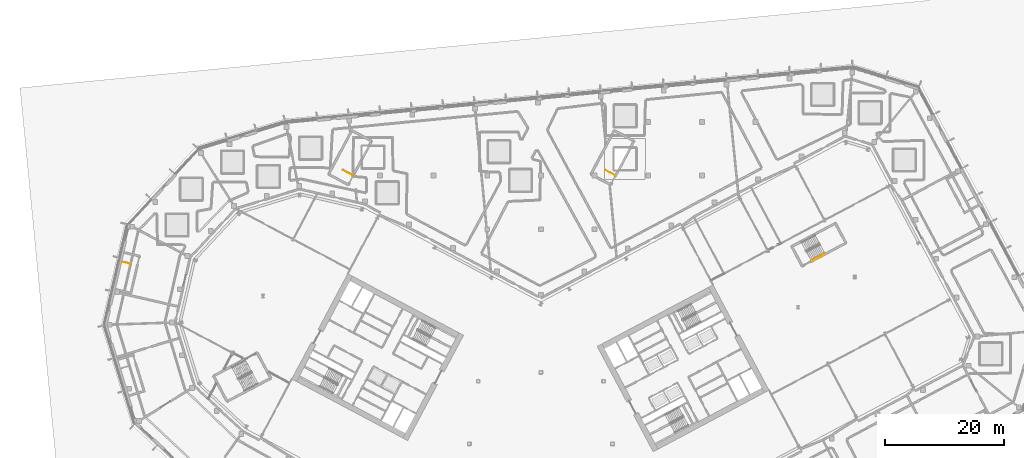
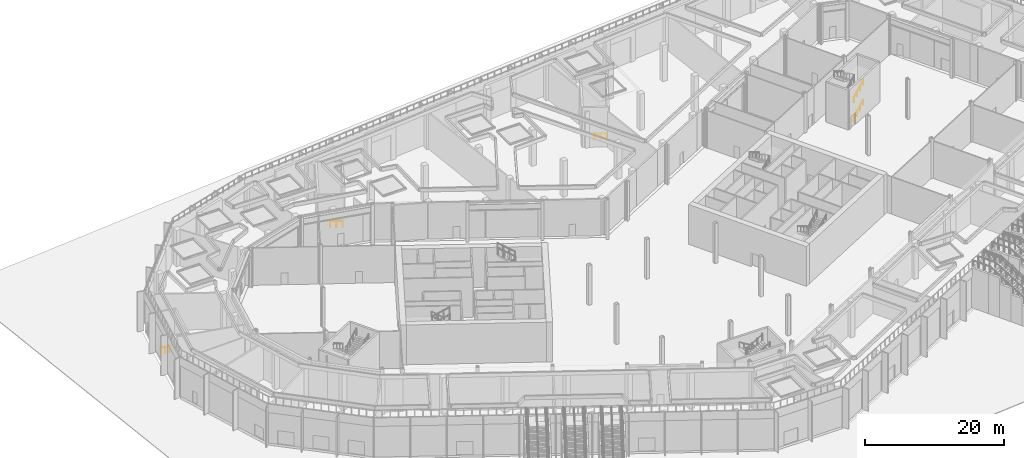
# One storey, part 54 of 57: 5 railings.
"""IFC4 building model written with IfcOpenShell, lengths in metres."""

from ifc_helpers import new_model, si_unit, direction, frame, origin, place, context, subcontext, project, spatial, polyline, outline, extrude, material, type_object, element, save


model = new_model("IFC4")

# Units and contexts
model_context = context("Model", 3, precision=1e-05, world=origin(), true_north=direction((0.0, 1.0)))
body_context = subcontext(model_context, "Body", "Model", "MODEL_VIEW")
ifc_project = project(units=[si_unit("LENGTHUNIT", "METRE"), si_unit("AREAUNIT", "SQUARE_METRE"), si_unit("VOLUMEUNIT", "CUBIC_METRE"), si_unit("PLANEANGLEUNIT", "RADIAN"), si_unit("MASSUNIT", "GRAM", prefix="KILO")], contexts=[model_context])

# Site, building, storey
site_placement = place(None, origin())
site = spatial("IfcSite", under=ifc_project, at=site_placement, CompositionType="ELEMENT")
building_placement = place(site_placement, origin())
building = spatial("IfcBuilding", under=site, at=building_placement, Name="Cormorant Relay Tower", CompositionType="ELEMENT")
storey_placement = place(building_placement, origin())
storey = spatial("IfcBuildingStorey", under=building, at=storey_placement, Name="L00", CompositionType="ELEMENT", Elevation=0.0)

# Railings
ifc_material_1 = material(Name="Steel ASTM A572 Grade 50 (Fy 345 MPa)", Category="steel")
railing_type_1 = type_object("IfcRailingType", Name="Podium stair guard 1100", PredefinedType="GUARDRAIL", material=ifc_material_1)
railing_1_placement = place(storey_placement, frame((-70.27880859375, 30.5556640625, 0.0)))
element("IfcRailing", 1, at=railing_1_placement, inside=storey, type_object=railing_type_1, Name="L00 X3 top well guard 1", PredefinedType="GUARDRAIL", context=body_context, shape_type="SweptSolid", body=[
    extrude(outline(polyline([(0.022216796875, 0.00927734375), (0.00927734375, 0.022216796875), (-0.00927734375, 0.022216796875), (-0.022216796875, 0.00927734375), (-0.022216796875, -0.00927734375), (-0.00927734375, -0.022216796875), (0.00927734375, -0.022216796875), (0.022216796875, -0.00927734375), (0.022216796875, 0.00927734375)])), frame((0.0, 0.0, 1.076171875), z_axis=(0.974366807022, -0.224965164799, 0.0), x_axis=(0.224965164799, 0.974366807022, 0.0)), (0.0, 0.0, 1.0), 1.35009765625),
    extrude(outline(polyline([(0.019287109375, 0.008056640625), (0.008056640625, 0.019287109375), (-0.008056640625, 0.019287109375), (-0.019287109375, 0.008056640625), (-0.019287109375, -0.008056640625), (-0.008056640625, -0.019287109375), (0.008056640625, -0.019287109375), (0.019287109375, -0.008056640625), (0.019287109375, 0.008056640625)])), origin(), (0.0, 0.0, 1.0), 1.052001953125),
    extrude(outline(polyline([(0.019287109375, 0.008056640625), (0.008056640625, 0.019287109375), (-0.008056640625, 0.019287109375), (-0.019287109375, 0.008056640625), (-0.019287109375, -0.008056640625), (-0.008056640625, -0.019287109375), (0.008056640625, -0.019287109375), (0.019287109375, -0.008056640625), (0.019287109375, 0.008056640625)])), frame((0.65771484375, -0.15185546875, 0.0)), (0.0, 0.0, 1.0), 1.052001953125),
    extrude(outline(polyline([(0.019287109375, 0.008056640625), (0.008056640625, 0.019287109375), (-0.008056640625, 0.019287109375), (-0.019287109375, 0.008056640625), (-0.019287109375, -0.008056640625), (-0.008056640625, -0.019287109375), (0.008056640625, -0.019287109375), (0.019287109375, -0.008056640625), (0.019287109375, 0.008056640625)])), frame((1.3154296875, -0.3037109375, 0.0)), (0.0, 0.0, 1.0), 1.052001953125),
])
ifc_material_2 = material(Name="Steel ASTM A572 Grade 50 (Fy 345 MPa)", Category="steel")
railing_type_2 = type_object("IfcRailingType", Name="Stair guard 1100", PredefinedType="GUARDRAIL", material=ifc_material_2)
for number, where, name in (
    (2, (12.396240234375, 45.071044921875, 0.0), "L00 RN1 top well guard 1"),
    (3, (-31.603759765625, 45.071044921875, 0.0), "L00 RN2 top well guard 1"),
):
    element("IfcRailing", number, at=place(storey_placement, frame(where)), inside=storey, type_object=railing_type_2, Name=name, PredefinedType="GUARDRAIL", context=body_context, shape_type="SweptSolid", body=[
        extrude(outline(polyline([(0.022216796875, 0.00927734375), (0.00927734375, 0.022216796875), (-0.00927734375, 0.022216796875), (-0.022216796875, 0.00927734375), (-0.022216796875, -0.00927734375), (-0.00927734375, -0.022216796875), (0.00927734375, -0.022216796875), (0.022216796875, -0.00927734375), (0.022216796875, 0.00927734375)])), frame((0.0, 0.0, 1.076171875), z_axis=(-0.88294178379, 0.469482487893, 0.0), x_axis=(-0.469482487893, -0.88294178379, 0.0)), (0.0, 0.0, 1.0), 1.7998046875),
        extrude(outline(polyline([(0.019287109375, 0.008056640625), (0.008056640625, 0.019287109375), (-0.008056640625, 0.019287109375), (-0.019287109375, 0.008056640625), (-0.019287109375, -0.008056640625), (-0.008056640625, -0.019287109375), (0.008056640625, -0.019287109375), (0.019287109375, -0.008056640625), (0.019287109375, 0.008056640625)])), origin(), (0.0, 0.0, 1.0), 1.052001953125),
        extrude(outline(polyline([(0.019287109375, 0.008056640625), (0.008056640625, 0.019287109375), (-0.008056640625, 0.019287109375), (-0.019287109375, 0.008056640625), (-0.019287109375, -0.008056640625), (-0.008056640625, -0.019287109375), (0.008056640625, -0.019287109375), (0.019287109375, -0.008056640625), (0.019287109375, 0.008056640625)])), frame((-0.79443359375, 0.42236328125, 0.0)), (0.0, 0.0, 1.0), 1.052001953125),
        extrude(outline(polyline([(0.019287109375, 0.008056640625), (0.008056640625, 0.019287109375), (-0.008056640625, 0.019287109375), (-0.019287109375, 0.008056640625), (-0.019287109375, -0.008056640625), (-0.008056640625, -0.019287109375), (0.008056640625, -0.019287109375), (0.019287109375, -0.008056640625), (0.019287109375, 0.008056640625)])), frame((-1.589111328125, 0.844970703125, 0.0)), (0.0, 0.0, 1.0), 1.052001953125),
    ])
ifc_material_3 = material(Name="Steel ASTM A572 Grade 50 (Fy 345 MPa)", Category="steel")
railing_type_3 = type_object("IfcRailingType", Name="Stair handrail 900", PredefinedType="HANDRAIL", material=ifc_material_3)
railing_2_placement = place(storey_placement, frame((45.3115234375, 30.81787109375, 0.175048828125)))
element("IfcRailing", 4, at=railing_2_placement, inside=storey, type_object=railing_type_3, Name="L00 RB1 stair handrail 1", PredefinedType="HANDRAIL", context=body_context, shape_type="SweptSolid", body=[
    extrude(outline(polyline([(0.022216796875, 0.00927734375), (0.00927734375, 0.022216796875), (-0.00927734375, 0.022216796875), (-0.022216796875, 0.00927734375), (-0.022216796875, -0.00927734375), (-0.00927734375, -0.022216796875), (0.00927734375, -0.022216796875), (0.022216796875, -0.00927734375), (0.022216796875, 0.00927734375)])), frame((0.0, 0.0, 0.8759765625), z_axis=(0.748715066256, 0.398142566781, 0.530007779262), x_axis=(-0.469511741669, 0.882926228195, 0.0)), (0.0, 0.0, 1.0), 2.9716796875),
    extrude(outline(polyline([(0.019287109375, 0.008056640625), (0.008056640625, 0.019287109375), (-0.008056640625, 0.019287109375), (-0.019287109375, 0.008056640625), (-0.019287109375, -0.008056640625), (-0.008056640625, -0.019287109375), (0.008056640625, -0.019287109375), (0.019287109375, -0.008056640625), (0.019287109375, 0.008056640625)])), origin(), (0.0, 0.0, 1.0), 0.851806640625),
    extrude(outline(polyline([(0.019287109375, 0.008056640625), (0.008056640625, 0.019287109375), (-0.008056640625, 0.019287109375), (-0.019287109375, 0.008056640625), (-0.019287109375, -0.008056640625), (-0.008056640625, -0.019287109375), (0.008056640625, -0.019287109375), (0.019287109375, -0.008056640625), (0.019287109375, 0.008056640625)])), frame((0.74169921875, 0.394287109375, 0.52490234375)), (0.0, 0.0, 1.0), 0.851806640625),
    extrude(outline(polyline([(0.019287109375, 0.008056640625), (0.008056640625, 0.019287109375), (-0.008056640625, 0.019287109375), (-0.019287109375, 0.008056640625), (-0.019287109375, -0.008056640625), (-0.008056640625, -0.019287109375), (0.008056640625, -0.019287109375), (0.019287109375, -0.008056640625), (0.019287109375, 0.008056640625)])), frame((1.483154296875, 0.788818359375, 1.050048828125)), (0.0, 0.0, 1.0), 0.851806640625),
    extrude(outline(polyline([(0.019287109375, 0.008056640625), (0.008056640625, 0.019287109375), (-0.008056640625, 0.019287109375), (-0.019287109375, 0.008056640625), (-0.019287109375, -0.008056640625), (-0.008056640625, -0.019287109375), (0.008056640625, -0.019287109375), (0.019287109375, -0.008056640625), (0.019287109375, 0.008056640625)])), frame((2.224853515625, 1.18310546875, 1.574951171875)), (0.0, 0.0, 1.0), 0.851806640625),
])
railing_3_placement = place(storey_placement, frame((45.3115234375, 30.81787109375, 3.675048828125)))
element("IfcRailing", 5, at=railing_3_placement, inside=storey, type_object=railing_type_3, Name="L00 RB1 stair handrail 3", PredefinedType="HANDRAIL", context=body_context, shape_type="SweptSolid", body=[
    extrude(outline(polyline([(0.022216796875, 0.00927734375), (0.00927734375, 0.022216796875), (-0.00927734375, 0.022216796875), (-0.022216796875, 0.00927734375), (-0.022216796875, -0.00927734375), (-0.00927734375, -0.022216796875), (0.00927734375, -0.022216796875), (0.022216796875, -0.00927734375), (0.022216796875, 0.00927734375)])), frame((0.0, 0.0, 0.8759765625), z_axis=(0.748715066256, 0.398142566781, 0.530007779262), x_axis=(-0.469511741669, 0.882926228195, 0.0)), (0.0, 0.0, 1.0), 2.9716796875),
    extrude(outline(polyline([(0.019287109375, 0.008056640625), (0.008056640625, 0.019287109375), (-0.008056640625, 0.019287109375), (-0.019287109375, 0.008056640625), (-0.019287109375, -0.008056640625), (-0.008056640625, -0.019287109375), (0.008056640625, -0.019287109375), (0.019287109375, -0.008056640625), (0.019287109375, 0.008056640625)])), origin(), (0.0, 0.0, 1.0), 0.851806640625),
    extrude(outline(polyline([(0.019287109375, 0.008056640625), (0.008056640625, 0.019287109375), (-0.008056640625, 0.019287109375), (-0.019287109375, 0.008056640625), (-0.019287109375, -0.008056640625), (-0.008056640625, -0.019287109375), (0.008056640625, -0.019287109375), (0.019287109375, -0.008056640625), (0.019287109375, 0.008056640625)])), frame((0.74169921875, 0.394287109375, 0.52490234375)), (0.0, 0.0, 1.0), 0.851806640625),
    extrude(outline(polyline([(0.019287109375, 0.008056640625), (0.008056640625, 0.019287109375), (-0.008056640625, 0.019287109375), (-0.019287109375, 0.008056640625), (-0.019287109375, -0.008056640625), (-0.008056640625, -0.019287109375), (0.008056640625, -0.019287109375), (0.019287109375, -0.008056640625), (0.019287109375, 0.008056640625)])), frame((1.483154296875, 0.788818359375, 1.050048828125)), (0.0, 0.0, 1.0), 0.851806640625),
    extrude(outline(polyline([(0.019287109375, 0.008056640625), (0.008056640625, 0.019287109375), (-0.008056640625, 0.019287109375), (-0.019287109375, 0.008056640625), (-0.019287109375, -0.008056640625), (-0.008056640625, -0.019287109375), (0.008056640625, -0.019287109375), (0.019287109375, -0.008056640625), (0.019287109375, 0.008056640625)])), frame((2.224853515625, 1.18310546875, 1.574951171875)), (0.0, 0.0, 1.0), 0.851806640625),
])

save(model, "model.ifc")
